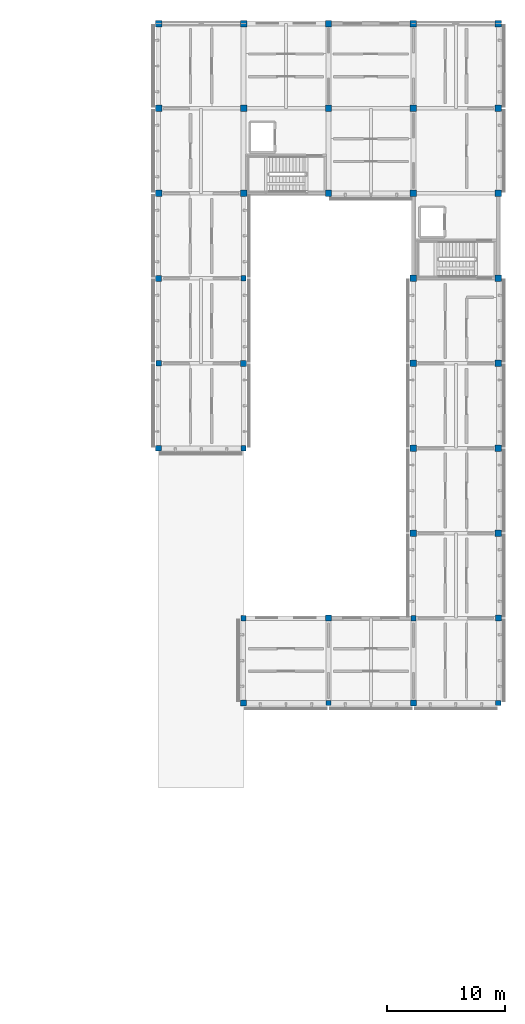
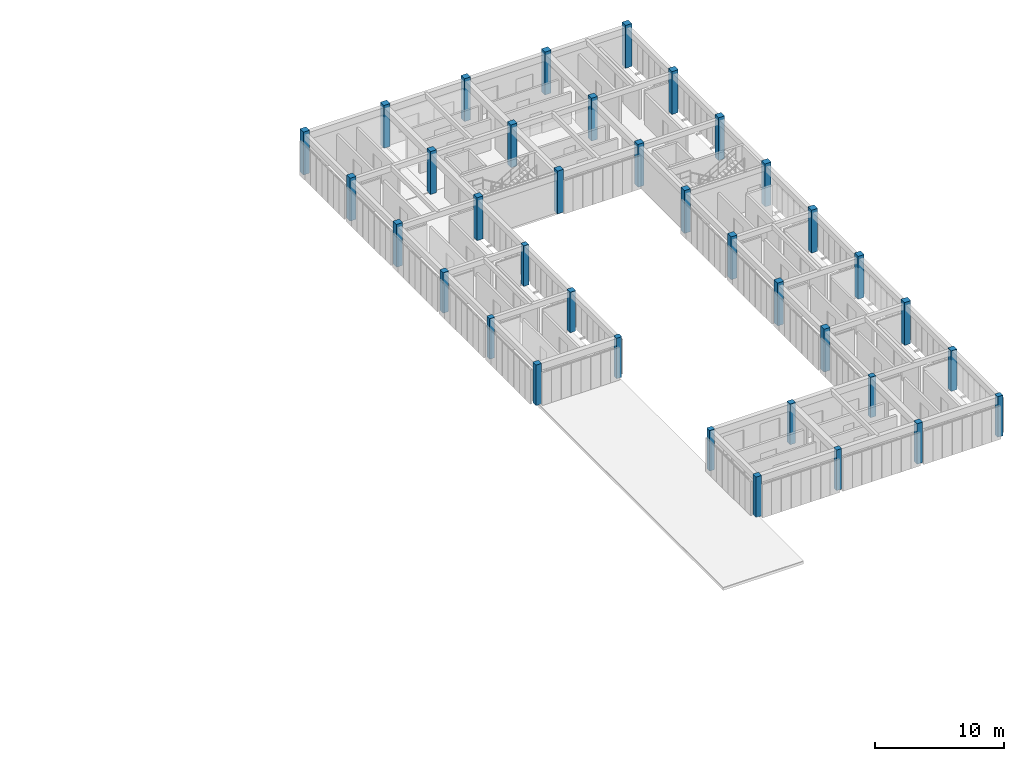
# One storey, part 2 of 67: 37 columns.
"""IFC4 building model written with IfcOpenShell, lengths in metres."""

from ifc_helpers import new_model, si_unit, direction, frame, origin, origin_2d, place, context, subcontext, project, spatial, rectangle, extrude, material, material_profile, profile_set, type_object, element, save


model = new_model("IFC4")

# Units and contexts
model_context = context("Model", 3, precision=1e-05, world=origin(), true_north=direction((0.0, 1.0)))
body_context = subcontext(model_context, "Body", "Model", "MODEL_VIEW")
ifc_project = project(units=[si_unit("LENGTHUNIT", "METRE"), si_unit("AREAUNIT", "SQUARE_METRE"), si_unit("VOLUMEUNIT", "CUBIC_METRE"), si_unit("PLANEANGLEUNIT", "RADIAN"), si_unit("MASSUNIT", "GRAM", prefix="KILO")], contexts=[model_context])

# Site, building, storey
site_placement = place(None, origin())
site = spatial("IfcSite", under=ifc_project, at=site_placement, CompositionType="ELEMENT")
building_placement = place(site_placement, origin())
building = spatial("IfcBuilding", under=site, at=building_placement, Name="Aldebral Square Health Centre", CompositionType="ELEMENT")
storey_placement = place(building_placement, frame((0.0, 0.0, 13.5)))
storey = spatial("IfcBuildingStorey", under=building, at=storey_placement, Name="L03", CompositionType="ELEMENT", Elevation=13.5)

# Columns
ifc_material = material(Name="Concrete C40/50", Category="concrete")
ifc_material_profile_1 = material_profile(ifc_material, rectangle(XDim=0.550048828125, YDim=0.550048828125, at=origin_2d()), Name="RC 550x550")
ifc_profile_set_1 = profile_set([ifc_material_profile_1], Name="Concrete C40/50")
column_type_1 = type_object("IfcColumnType", Name="COL-C4", PredefinedType="COLUMN", material=ifc_profile_set_1)
for number, where, z_axis, x_axis, name in (
    (1, (136.800048828125, 100.800048828125, 0.0), (0.0, 0.0, 1.0), (1.0, 0.0, 0.0), "L03 column 20/15"),
    (2, (136.800048828125, 108.0, 0.0), (0.0, 0.0, 1.0), (1.0, 0.0, 0.0), "L03 column 20/16"),
    (3, (136.800048828125, 115.199951171875, 0.0), (0.0, 0.0, 1.0), (1.0, 0.0, 0.0), "L03 column 20/17"),
    (4, (144.0, 100.800048828125, 0.0), (0.0, 0.0, 1.0), (1.0, 0.0, 0.0), "L03 column 21/15"),
    (5, (144.0, 108.0, 0.0), (0.0, 0.0, 1.0), (1.0, 0.0, 0.0), "L03 column 21/16"),
    (6, (144.0, 115.199951171875, 0.0), (0.0, 0.0, 1.0), (1.0, 0.0, 0.0), "L03 column 21/17"),
    (7, (151.199951171875, 100.800048828125, 0.0), (0.0, 0.0, 1.0), (1.0, 0.0, 0.0), "L03 column 22/15"),
    (8, (151.199951171875, 108.0, 0.0), (0.0, 0.0, 1.0), (1.0, 0.0, 0.0), "L03 column 22/16"),
    (9, (151.199951171875, 115.199951171875, 0.0), (0.0, 0.0, 1.0), (1.0, 0.0, 0.0), "L03 column 22/17"),
    (10, (158.39990234375, 72.0, 0.0), (0.0, 0.0, 1.0), (1.0, 0.0, 0.0), "L03 column 23/11"),
    (11, (158.39990234375, 79.199951171875, 0.0), (0.0, 0.0, 1.0), (1.0, 0.0, 0.0), "L03 column 23/12"),
    (12, (158.39990234375, 86.39990234375, 0.0), (0.0, 0.0, 1.0), (1.0, 0.0, 0.0), "L03 column 23/13"),
    (13, (158.39990234375, 93.60009765625, 0.0), (0.0, 0.0, 1.0), (1.0, 0.0, 0.0), "L03 column 23/14"),
    (14, (158.39990234375, 100.800048828125, 0.0), (0.0, 0.0, 1.0), (1.0, 0.0, 0.0), "L03 column 23/15"),
    (15, (158.39990234375, 108.0, 0.0), (0.0, 0.0, 1.0), (1.0, 0.0, 0.0), "L03 column 23/16"),
    (16, (158.39990234375, 115.199951171875, 0.0), (0.0, 0.0, 1.0), (1.0, 0.0, 0.0), "L03 column 23/17"),
    (17, (165.60009765625, 72.0, 0.0), (0.0, 0.0, 1.0), (1.0, 0.0, 0.0), "L03 column 24/11"),
    (18, (165.60009765625, 79.199951171875, 0.0), (0.0, 0.0, 1.0), (1.0, 0.0, 0.0), "L03 column 24/12"),
    (19, (165.60009765625, 86.39990234375, 0.0), (0.0, 0.0, 1.0), (1.0, 0.0, 0.0), "L03 column 24/13"),
    (20, (165.60009765625, 93.60009765625, 0.0), (0.0, 0.0, 1.0), (1.0, 0.0, 0.0), "L03 column 24/14"),
    (21, (165.60009765625, 100.800048828125, 0.0), (0.0, 0.0, 1.0), (1.0, 0.0, 0.0), "L03 column 24/15"),
    (22, (165.60009765625, 108.0, 0.0), (0.0, 0.0, 1.0), (1.0, 0.0, 0.0), "L03 column 24/16"),
    (23, (165.60009765625, 115.199951171875, 0.0), (0.0, 0.0, 1.0), (1.0, 0.0, 0.0), "L03 column 24/17"),
):
    element("IfcColumn", number, at=place(storey_placement, frame(where, z_axis=z_axis, x_axis=x_axis)), inside=storey, type_object=column_type_1, Name=name, PredefinedType="COLUMN", context=body_context, shape_type="SweptSolid", body=[
        extrude(rectangle(XDim=0.550048828125, YDim=0.550048828125, at=origin_2d()), origin(), (0.0, 0.0, 1.0), 4.050048828125),
    ])
ifc_material_profile_2 = material_profile(ifc_material, rectangle(XDim=0.5, YDim=0.5, at=origin_2d()), Name="RC 500x500")
ifc_profile_set_2 = profile_set([ifc_material_profile_2], Name="Concrete C40/50")
column_type_2 = type_object("IfcColumnType", Name="COL-C5", PredefinedType="COLUMN", material=ifc_profile_set_2)
for number, where, z_axis, x_axis, name in (
    (24, (136.800048828125, 79.199951171875, 0.0), (0.0, 0.0, 1.0), (1.0, 0.0, 0.0), "L03 column 20/12"),
    (25, (136.800048828125, 93.60009765625, 0.0), (0.0, 0.0, 1.0), (1.0, 0.0, 0.0), "L03 column 20/14"),
    (26, (144.0, 57.60009765625, 0.0), (0.0, 0.0, 1.0), (1.0, 0.0, 0.0), "L03 column 21/9"),
    (27, (144.0, 86.39990234375, 0.0), (0.0, 0.0, 1.0), (1.0, 0.0, 0.0), "L03 column 21/13"),
    (28, (151.199951171875, 64.800048828125, 0.0), (0.0, 0.0, 1.0), (1.0, 0.0, 0.0), "L03 column 22/10"),
    (29, (158.39990234375, 57.60009765625, 0.0), (0.0, 0.0, 1.0), (1.0, 0.0, 0.0), "L03 column 23/9"),
    (30, (165.60009765625, 64.800048828125, 0.0), (0.0, 0.0, 1.0), (1.0, 0.0, 0.0), "L03 column 24/10"),
):
    element("IfcColumn", number, at=place(storey_placement, frame(where, z_axis=z_axis, x_axis=x_axis)), inside=storey, type_object=column_type_2, Name=name, PredefinedType="COLUMN", context=body_context, shape_type="SweptSolid", body=[
        extrude(rectangle(XDim=0.5, YDim=0.5, at=origin_2d()), origin(), (0.0, 0.0, 1.0), 3.830078125),
    ])
ifc_material_profile_3 = material_profile(ifc_material, rectangle(XDim=0.449951171875, YDim=0.449951171875, at=origin_2d()), Name="RC 450x450")
ifc_profile_set_3 = profile_set([ifc_material_profile_3], Name="Concrete C40/50")
column_type_3 = type_object("IfcColumnType", Name="COL-C6", PredefinedType="COLUMN", material=ifc_profile_set_3)
for number, where, z_axis, x_axis, name in (
    (31, (136.800048828125, 86.39990234375, 0.0), (0.0, 0.0, 1.0), (1.0, 0.0, 0.0), "L03 column 20/13"),
    (32, (144.0, 64.800048828125, 0.0), (0.0, 0.0, 1.0), (1.0, 0.0, 0.0), "L03 column 21/10"),
    (33, (144.0, 79.199951171875, 0.0), (0.0, 0.0, 1.0), (1.0, 0.0, 0.0), "L03 column 21/12"),
    (34, (144.0, 93.60009765625, 0.0), (0.0, 0.0, 1.0), (1.0, 0.0, 0.0), "L03 column 21/14"),
    (35, (151.199951171875, 57.60009765625, 0.0), (0.0, 0.0, 1.0), (1.0, 0.0, 0.0), "L03 column 22/9"),
    (36, (158.39990234375, 64.800048828125, 0.0), (0.0, 0.0, 1.0), (1.0, 0.0, 0.0), "L03 column 23/10"),
    (37, (165.60009765625, 57.60009765625, 0.0), (0.0, 0.0, 1.0), (1.0, 0.0, 0.0), "L03 column 24/9"),
):
    element("IfcColumn", number, at=place(storey_placement, frame(where, z_axis=z_axis, x_axis=x_axis)), inside=storey, type_object=column_type_3, Name=name, PredefinedType="COLUMN", context=body_context, shape_type="SweptSolid", body=[
        extrude(rectangle(XDim=0.449951171875, YDim=0.449951171875, at=origin_2d()), origin(), (0.0, 0.0, 1.0), 3.830078125),
    ])

save(model, "model.ifc")
